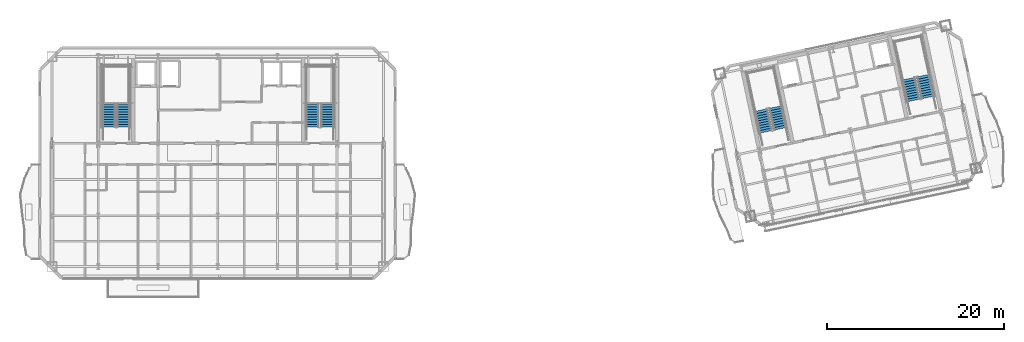
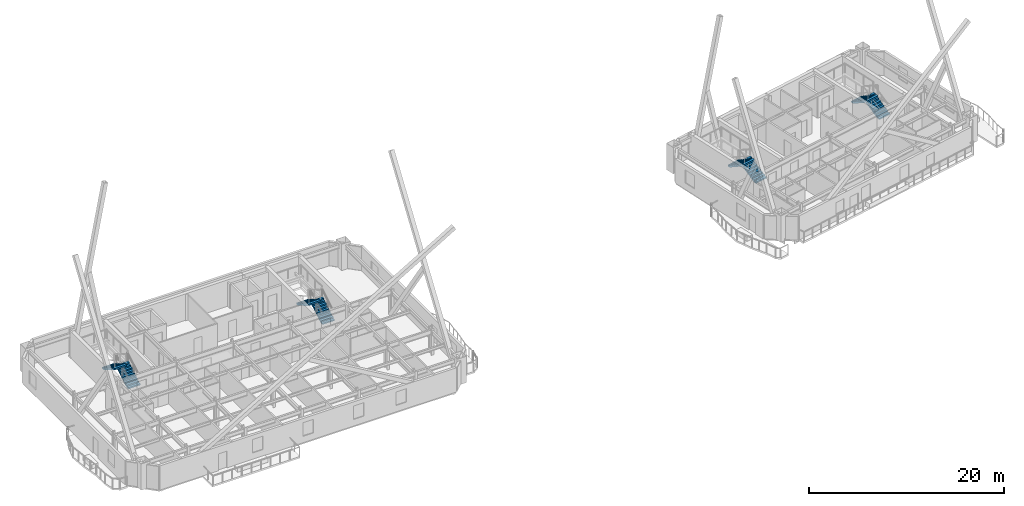
# One storey, part 14 of 19: 8 stair flights, 4 elements without a shape of their own.
"""IFC4 building model written with IfcOpenShell, lengths in metres."""

from ifc_helpers import new_model, si_unit, direction, frame, origin, place, context, subcontext, project, spatial, polyline, outline, extrude, material, type_object, element, aggregate, save


model = new_model("IFC4")

# Units and contexts
model_context = context("Model", 3, precision=1e-05, world=origin(), true_north=direction((0.0, 1.0)))
body_context = subcontext(model_context, "Body", "Model", "MODEL_VIEW")
ifc_project = project(units=[si_unit("LENGTHUNIT", "METRE"), si_unit("AREAUNIT", "SQUARE_METRE"), si_unit("VOLUMEUNIT", "CUBIC_METRE"), si_unit("PLANEANGLEUNIT", "RADIAN"), si_unit("MASSUNIT", "GRAM", prefix="KILO")], contexts=[model_context])

# Site, building, storey
site_placement = place(None, origin())
site = spatial("IfcSite", under=ifc_project, at=site_placement, CompositionType="ELEMENT")
building_placement = place(site_placement, origin())
building = spatial("IfcBuilding", under=site, at=building_placement, Name="Haevon Station Towers", CompositionType="ELEMENT")
storey_placement = place(building_placement, frame((0.0, 0.0, 218.699951171875)))
storey = spatial("IfcBuildingStorey", under=building, at=storey_placement, Name="L60", CompositionType="ELEMENT", Elevation=218.699951171875)

# Stair, stair flights
ifc_material = material(Name="Concrete C40/50", Category="concrete")
stair_type = type_object("IfcStairType", Name="STR-DL1450", PredefinedType="USERDEFINED", material=ifc_material)
stair_1_placement = place(storey_placement, origin())
stair_1 = element("IfcStair", 1, at=stair_1_placement, inside=storey, type_object=stair_type, Name="L60 Escape Stair ST1", ObjectType="TWO_RETURN_STAIR", PredefinedType="USERDEFINED")
stair_flight_type = type_object("IfcStairFlightType", Name="STF-ST1450", PredefinedType="STRAIGHT", material=ifc_material)
stair_flight_1_placement = place(storey_placement, frame((26.85498046875, 40.050048828125, 0.0), z_axis=(0.0, 0.0, 1.0), x_axis=(0.0, 1.0, 0.0)))
stair_flight_1 = element("IfcStairFlight", 2, at=stair_flight_1_placement, type_object=stair_flight_type, Name="L60 ST1 Flight 1", NumberOfRisers=10, NumberOfTreads=9, PredefinedType="STRAIGHT", RiserHeight=0.165, TreadLength=0.28, context=body_context, shape_type="SweptSolid", body=[
    extrude(outline(polyline([(0.0, 0.0), (0.0, 0.1650390625), (0.280029296875, 0.1650390625), (0.280029296875, 0.330078125), (0.56005859375, 0.330078125), (0.56005859375, 0.4951171875), (0.840087890625, 0.4951171875), (0.840087890625, 0.659912109375), (1.1201171875, 0.659912109375), (1.1201171875, 0.824951171875), (1.39990234375, 0.824951171875), (1.39990234375, 0.989990234375), (1.679931640625, 0.989990234375), (1.679931640625, 1.155029296875), (1.9599609375, 1.155029296875), (1.9599609375, 1.320068359375), (2.239990234375, 1.320068359375), (2.239990234375, 1.485107421875), (2.52001953125, 1.485107421875), (2.52001953125, 1.64990234375), (2.52001953125, 1.29931640625), (0.31494140625, 0.0), (0.0, 0.0)])), frame((0.0, 0.72509765625, 0.0), z_axis=(0.0, -1.0, 0.0), x_axis=(1.0, 0.0, 0.0)), (0.0, 0.0, 1.0), 1.449951171875),
])
stair_flight_2_placement = place(storey_placement, frame((25.205078125, 42.570068359375, 1.650146484375), z_axis=(0.0, 0.0, 1.0), x_axis=(0.0, -1.0, 0.0)))
stair_flight_2 = element("IfcStairFlight", 3, at=stair_flight_2_placement, type_object=stair_flight_type, Name="L60 ST1 Flight 2", NumberOfRisers=10, NumberOfTreads=9, PredefinedType="STRAIGHT", RiserHeight=0.165, TreadLength=0.28, context=body_context, shape_type="SweptSolid", body=[
    extrude(outline(polyline([(0.0, 0.0), (0.0, 0.1650390625), (0.280029296875, 0.1650390625), (0.280029296875, 0.330078125), (0.56005859375, 0.330078125), (0.56005859375, 0.4951171875), (0.840087890625, 0.4951171875), (0.840087890625, 0.659912109375), (1.1201171875, 0.659912109375), (1.1201171875, 0.824951171875), (1.39990234375, 0.824951171875), (1.39990234375, 0.989990234375), (1.679931640625, 0.989990234375), (1.679931640625, 1.155029296875), (1.9599609375, 1.155029296875), (1.9599609375, 1.320068359375), (2.239990234375, 1.320068359375), (2.239990234375, 1.485107421875), (2.52001953125, 1.485107421875), (2.52001953125, 1.64990234375), (2.52001953125, 1.29931640625), (0.31494140625, 0.0), (0.0, 0.0)])), frame((0.0, 0.72509765625, 0.0), z_axis=(0.0, -1.0, 0.0), x_axis=(1.0, 0.0, 0.0)), (0.0, 0.0, 1.0), 1.449951171875),
])
aggregate(stair_1, [stair_flight_1, stair_flight_2])

stair_2_placement = place(storey_placement, origin())
stair_2 = element("IfcStair", 4, at=stair_2_placement, inside=storey, type_object=stair_type, Name="L60 Escape Stair ST2", ObjectType="TWO_RETURN_STAIR", PredefinedType="USERDEFINED")
stair_flight_3_placement = place(storey_placement, frame((49.89501953125, 40.050048828125, 0.0), z_axis=(0.0, 0.0, 1.0), x_axis=(0.0, 1.0, 0.0)))
stair_flight_3 = element("IfcStairFlight", 5, at=stair_flight_3_placement, type_object=stair_flight_type, Name="L60 ST2 Flight 1", NumberOfRisers=10, NumberOfTreads=9, PredefinedType="STRAIGHT", RiserHeight=0.165, TreadLength=0.28, context=body_context, shape_type="SweptSolid", body=[
    extrude(outline(polyline([(0.0, 0.0), (0.0, 0.1650390625), (0.280029296875, 0.1650390625), (0.280029296875, 0.330078125), (0.56005859375, 0.330078125), (0.56005859375, 0.4951171875), (0.840087890625, 0.4951171875), (0.840087890625, 0.659912109375), (1.1201171875, 0.659912109375), (1.1201171875, 0.824951171875), (1.39990234375, 0.824951171875), (1.39990234375, 0.989990234375), (1.679931640625, 0.989990234375), (1.679931640625, 1.155029296875), (1.9599609375, 1.155029296875), (1.9599609375, 1.320068359375), (2.239990234375, 1.320068359375), (2.239990234375, 1.485107421875), (2.52001953125, 1.485107421875), (2.52001953125, 1.64990234375), (2.52001953125, 1.29931640625), (0.31494140625, 0.0), (0.0, 0.0)])), frame((0.0, 0.72509765625, 0.0), z_axis=(0.0, -1.0, 0.0), x_axis=(1.0, 0.0, 0.0)), (0.0, 0.0, 1.0), 1.449951171875),
])
stair_flight_4_placement = place(storey_placement, frame((48.2451171875, 42.570068359375, 1.650146484375), z_axis=(0.0, 0.0, 1.0), x_axis=(0.0, -1.0, 0.0)))
stair_flight_4 = element("IfcStairFlight", 6, at=stair_flight_4_placement, type_object=stair_flight_type, Name="L60 ST2 Flight 2", NumberOfRisers=10, NumberOfTreads=9, PredefinedType="STRAIGHT", RiserHeight=0.165, TreadLength=0.28, context=body_context, shape_type="SweptSolid", body=[
    extrude(outline(polyline([(0.0, 0.0), (0.0, 0.1650390625), (0.280029296875, 0.1650390625), (0.280029296875, 0.330078125), (0.56005859375, 0.330078125), (0.56005859375, 0.4951171875), (0.840087890625, 0.4951171875), (0.840087890625, 0.659912109375), (1.1201171875, 0.659912109375), (1.1201171875, 0.824951171875), (1.39990234375, 0.824951171875), (1.39990234375, 0.989990234375), (1.679931640625, 0.989990234375), (1.679931640625, 1.155029296875), (1.9599609375, 1.155029296875), (1.9599609375, 1.320068359375), (2.239990234375, 1.320068359375), (2.239990234375, 1.485107421875), (2.52001953125, 1.485107421875), (2.52001953125, 1.64990234375), (2.52001953125, 1.29931640625), (0.31494140625, 0.0), (0.0, 0.0)])), frame((0.0, 0.72509765625, 0.0), z_axis=(0.0, -1.0, 0.0), x_axis=(1.0, 0.0, 0.0)), (0.0, 0.0, 1.0), 1.449951171875),
])
aggregate(stair_2, [stair_flight_3, stair_flight_4])

stair_3_placement = place(storey_placement, origin())
stair_3 = element("IfcStair", 7, at=stair_3_placement, inside=storey, type_object=stair_type, Name="L60 Escape Stair ST3", ObjectType="TWO_RETURN_STAIR", PredefinedType="USERDEFINED")
stair_flight_5_placement = place(storey_placement, frame((101.1015625, 39.8330078125, 0.0), z_axis=(0.0, 0.0, 1.0), x_axis=(-0.207911690818, 0.978147600734, 0.0)))
stair_flight_5 = element("IfcStairFlight", 8, at=stair_flight_5_placement, type_object=stair_flight_type, Name="L60 ST3 Flight 1", NumberOfRisers=10, NumberOfTreads=9, PredefinedType="STRAIGHT", RiserHeight=0.165, TreadLength=0.28, context=body_context, shape_type="SweptSolid", body=[
    extrude(outline(polyline([(0.0, 0.0), (0.0, 0.1650390625), (0.280029296875, 0.1650390625), (0.280029296875, 0.330078125), (0.56005859375, 0.330078125), (0.56005859375, 0.4951171875), (0.840087890625, 0.4951171875), (0.840087890625, 0.659912109375), (1.1201171875, 0.659912109375), (1.1201171875, 0.824951171875), (1.39990234375, 0.824951171875), (1.39990234375, 0.989990234375), (1.679931640625, 0.989990234375), (1.679931640625, 1.155029296875), (1.9599609375, 1.155029296875), (1.9599609375, 1.320068359375), (2.239990234375, 1.320068359375), (2.239990234375, 1.485107421875), (2.52001953125, 1.485107421875), (2.52001953125, 1.64990234375), (2.52001953125, 1.29931640625), (0.31494140625, 0.0), (0.0, 0.0)])), frame((0.0, 0.72509765625, 0.0), z_axis=(0.0, -1.0, 0.0), x_axis=(1.0, 0.0, 0.0)), (0.0, 0.0, 1.0), 1.449951171875),
])
stair_flight_6_placement = place(storey_placement, frame((98.9638671875, 41.955078125, 1.650146484375), z_axis=(0.0, 0.0, 1.0), x_axis=(0.207911690818, -0.978147600734, 0.0)))
stair_flight_6 = element("IfcStairFlight", 9, at=stair_flight_6_placement, type_object=stair_flight_type, Name="L60 ST3 Flight 2", NumberOfRisers=10, NumberOfTreads=9, PredefinedType="STRAIGHT", RiserHeight=0.165, TreadLength=0.28, context=body_context, shape_type="SweptSolid", body=[
    extrude(outline(polyline([(0.0, 0.0), (0.0, 0.1650390625), (0.280029296875, 0.1650390625), (0.280029296875, 0.330078125), (0.56005859375, 0.330078125), (0.56005859375, 0.4951171875), (0.840087890625, 0.4951171875), (0.840087890625, 0.659912109375), (1.1201171875, 0.659912109375), (1.1201171875, 0.824951171875), (1.39990234375, 0.824951171875), (1.39990234375, 0.989990234375), (1.679931640625, 0.989990234375), (1.679931640625, 1.155029296875), (1.9599609375, 1.155029296875), (1.9599609375, 1.320068359375), (2.239990234375, 1.320068359375), (2.239990234375, 1.485107421875), (2.52001953125, 1.485107421875), (2.52001953125, 1.64990234375), (2.52001953125, 1.29931640625), (0.31494140625, 0.0), (0.0, 0.0)])), frame((0.0, 0.72509765625, 0.0), z_axis=(0.0, -1.0, 0.0), x_axis=(1.0, 0.0, 0.0)), (0.0, 0.0, 1.0), 1.449951171875),
])
aggregate(stair_3, [stair_flight_5, stair_flight_6])

stair_4_placement = place(storey_placement, origin())
stair_4 = element("IfcStair", 10, at=stair_4_placement, inside=storey, type_object=stair_type, Name="L60 Escape Stair ST4", ObjectType="TWO_RETURN_STAIR", PredefinedType="USERDEFINED")
stair_flight_7_placement = place(storey_placement, frame((117.788818359375, 43.380126953125, 0.0), z_axis=(0.0, 0.0, 1.0), x_axis=(-0.207911690818, 0.978147600734, 0.0)))
stair_flight_7 = element("IfcStairFlight", 11, at=stair_flight_7_placement, type_object=stair_flight_type, Name="L60 ST4 Flight 1", NumberOfRisers=10, NumberOfTreads=9, PredefinedType="STRAIGHT", RiserHeight=0.165, TreadLength=0.28, context=body_context, shape_type="SweptSolid", body=[
    extrude(outline(polyline([(0.0, 0.0), (0.0, 0.1650390625), (0.280029296875, 0.1650390625), (0.280029296875, 0.330078125), (0.56005859375, 0.330078125), (0.56005859375, 0.4951171875), (0.840087890625, 0.4951171875), (0.840087890625, 0.659912109375), (1.1201171875, 0.659912109375), (1.1201171875, 0.824951171875), (1.39990234375, 0.824951171875), (1.39990234375, 0.989990234375), (1.679931640625, 0.989990234375), (1.679931640625, 1.155029296875), (1.9599609375, 1.155029296875), (1.9599609375, 1.320068359375), (2.239990234375, 1.320068359375), (2.239990234375, 1.485107421875), (2.52001953125, 1.485107421875), (2.52001953125, 1.64990234375), (2.52001953125, 1.29931640625), (0.31494140625, 0.0), (0.0, 0.0)])), frame((0.0, 0.72509765625, 0.0), z_axis=(0.0, -1.0, 0.0), x_axis=(1.0, 0.0, 0.0)), (0.0, 0.0, 1.0), 1.449951171875),
])
stair_flight_8_placement = place(storey_placement, frame((115.65087890625, 45.501953125, 1.650146484375), z_axis=(0.0, 0.0, 1.0), x_axis=(0.207911690818, -0.978147600734, 0.0)))
stair_flight_8 = element("IfcStairFlight", 12, at=stair_flight_8_placement, type_object=stair_flight_type, Name="L60 ST4 Flight 2", NumberOfRisers=10, NumberOfTreads=9, PredefinedType="STRAIGHT", RiserHeight=0.165, TreadLength=0.28, context=body_context, shape_type="SweptSolid", body=[
    extrude(outline(polyline([(0.0, 0.0), (0.0, 0.1650390625), (0.280029296875, 0.1650390625), (0.280029296875, 0.330078125), (0.56005859375, 0.330078125), (0.56005859375, 0.4951171875), (0.840087890625, 0.4951171875), (0.840087890625, 0.659912109375), (1.1201171875, 0.659912109375), (1.1201171875, 0.824951171875), (1.39990234375, 0.824951171875), (1.39990234375, 0.989990234375), (1.679931640625, 0.989990234375), (1.679931640625, 1.155029296875), (1.9599609375, 1.155029296875), (1.9599609375, 1.320068359375), (2.239990234375, 1.320068359375), (2.239990234375, 1.485107421875), (2.52001953125, 1.485107421875), (2.52001953125, 1.64990234375), (2.52001953125, 1.29931640625), (0.31494140625, 0.0), (0.0, 0.0)])), frame((0.0, 0.72509765625, 0.0), z_axis=(0.0, -1.0, 0.0), x_axis=(1.0, 0.0, 0.0)), (0.0, 0.0, 1.0), 1.449951171875),
])
aggregate(stair_4, [stair_flight_7, stair_flight_8])

save(model, "model.ifc")
